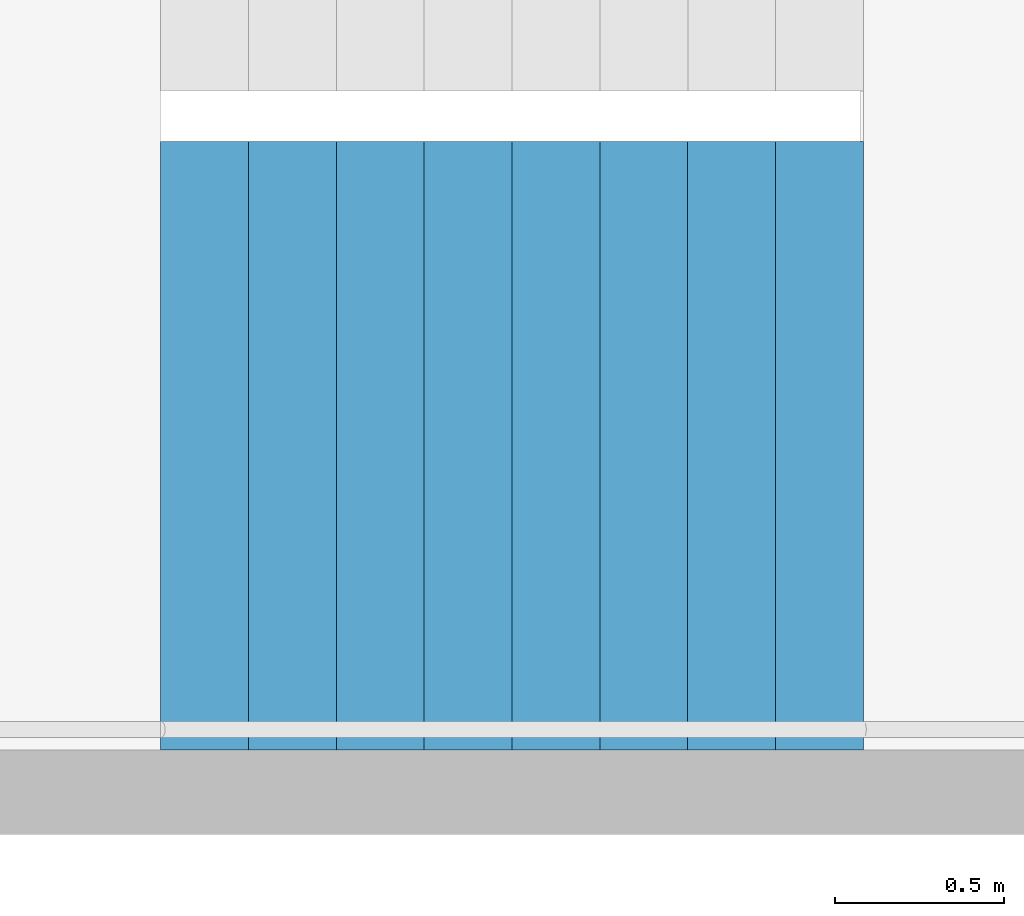
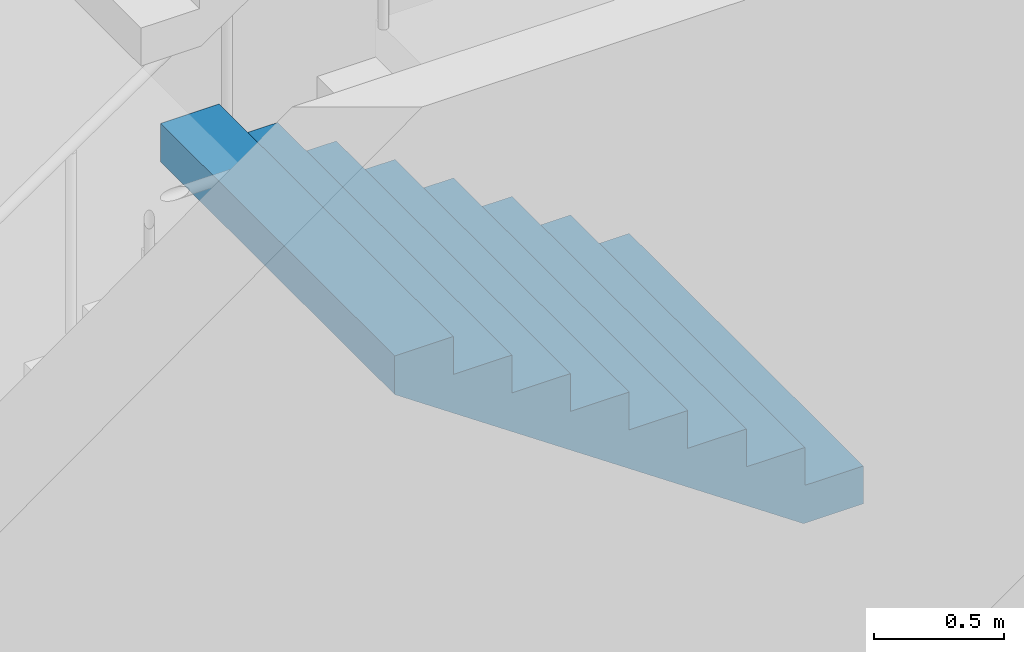
# One storey, part 30 of 43: 1 stair flight, 1 element without a shape of its own.
"""IFC4 building model written with IfcOpenShell, lengths in metres."""

from ifc_helpers import new_model, si_unit, direction, frame, origin, place, context, subcontext, project, spatial, triangles, material, type_object, element, aggregate, save


model = new_model("IFC4")

# Units and contexts
model_context = context("Model", 3, precision=1e-05, world=origin(), true_north=direction((0.0, 1.0)))
body_context = subcontext(model_context, "Body", "Model", "MODEL_VIEW")
ifc_project = project(units=[si_unit("LENGTHUNIT", "METRE"), si_unit("AREAUNIT", "SQUARE_METRE"), si_unit("VOLUMEUNIT", "CUBIC_METRE"), si_unit("PLANEANGLEUNIT", "RADIAN"), si_unit("MASSUNIT", "GRAM", prefix="KILO")], contexts=[model_context])

# Site, building, storey
site_placement = place(None, origin())
site = spatial("IfcSite", under=ifc_project, at=site_placement, CompositionType="ELEMENT")
building_placement = place(site_placement, origin())
building = spatial("IfcBuilding", under=site, at=building_placement, Name="Hakoniwa Tower and Hamabe Station Hall", CompositionType="ELEMENT")
storey_placement = place(building_placement, frame((0.0, 0.0, 124.60009765625)))
storey = spatial("IfcBuildingStorey", under=building, at=storey_placement, Name="L35", CompositionType="ELEMENT", Elevation=124.60009765625)

# Stair, stair flight
ifc_material_1 = material(Name="Concrete C40", Category="concrete")
stair_type = type_object("IfcStairType", Name="ESCAPE STAIR 1800", PredefinedType="HALF_TURN_STAIR", material=ifc_material_1)
stair_placement = place(storey_placement, origin())
stair = element("IfcStair", 1, at=stair_placement, inside=storey, type_object=stair_type, Name="Escape stair ST-3 L35", PredefinedType="HALF_TURN_STAIR")
ifc_material_2 = material(Name="Concrete C40", Category="concrete")
stair_flight_type = type_object("IfcStairFlightType", Name="STAIR FLIGHT 1800", PredefinedType="STRAIGHT", material=ifc_material_2)
stair_flight_placement = place(storey_placement, frame((24.39990234375, 4.64990234375, 3.199951171875), z_axis=(0.0, 0.0, 1.0), x_axis=(-1.0, 0.0, 0.0)))
stair_flight = element("IfcStairFlight", 2, at=stair_flight_placement, type_object=stair_flight_type, Name="ST-3 flight 3", NumberOfRisers=9, NumberOfTreads=8, PredefinedType="STRAIGHT", RiserHeight=0.177777778, TreadLength=0.26, context=body_context, shape_type="Tessellation", body=[
    triangles([(0.0, 0.89990234375, 0.0), (0.260009765625, 0.89990234375, 0.0), (0.265625, 0.89990234375, 0.0), (0.52001953125, 0.89990234375, 0.174072265625), (0.780029296875, 0.89990234375, 0.351806640625), (1.0400390625, 0.89990234375, 0.529541015625), (1.300048828125, 0.89990234375, 0.707275390625), (1.56005859375, 0.89990234375, 0.885009765625), (1.820068359375, 0.89990234375, 1.062744140625), (2.080078125, 0.89990234375, 1.24072265625), (2.080078125, 0.89990234375, 1.422119140625), (1.820068359375, 0.89990234375, 1.422119140625), (1.820068359375, 0.89990234375, 1.244384765625), (1.56005859375, 0.89990234375, 1.244384765625), (1.56005859375, 0.89990234375, 1.066650390625), (1.300048828125, 0.89990234375, 1.066650390625), (1.300048828125, 0.89990234375, 0.888916015625), (1.0400390625, 0.89990234375, 0.888916015625), (1.0400390625, 0.89990234375, 0.711181640625), (0.780029296875, 0.89990234375, 0.711181640625), (0.780029296875, 0.89990234375, 0.533447265625), (0.52001953125, 0.89990234375, 0.533447265625), (0.52001953125, 0.89990234375, 0.35546875), (0.265625, 0.89990234375, 0.35546875), (0.260009765625, 0.89990234375, 0.35546875), (0.260009765625, 0.89990234375, 0.177734375), (0.0, 0.89990234375, 0.177734375), (0.0, 0.06005859375, 0.0), (0.260009765625, 0.06005859375, 0.0), (0.265625, 0.06005859375, 0.0), (0.52001953125, 0.06005859375, 0.174072265625), (0.780029296875, 0.06005859375, 0.351806640625), (1.0400390625, 0.06005859375, 0.529541015625), (1.300048828125, 0.06005859375, 0.707275390625), (1.56005859375, 0.06005859375, 0.885009765625), (1.820068359375, 0.06005859375, 1.062744140625), (2.080078125, 0.06005859375, 1.24072265625), (2.080078125, 0.06005859375, 1.422119140625), (1.820068359375, 0.06005859375, 1.422119140625), (1.820068359375, 0.06005859375, 1.244384765625), (1.56005859375, 0.06005859375, 1.244384765625), (1.56005859375, 0.06005859375, 1.066650390625), (1.300048828125, 0.06005859375, 1.066650390625), (1.300048828125, 0.06005859375, 0.888916015625), (1.0400390625, 0.06005859375, 0.888916015625), (1.0400390625, 0.06005859375, 0.711181640625), (0.780029296875, 0.06005859375, 0.711181640625), (0.780029296875, 0.06005859375, 0.533447265625), (0.52001953125, 0.06005859375, 0.533447265625), (0.52001953125, 0.06005859375, 0.35546875), (0.265625, 0.06005859375, 0.35546875), (0.260009765625, 0.06005859375, 0.35546875), (0.260009765625, 0.06005859375, 0.177734375), (0.0, 0.06005859375, 0.177734375), (0.0, 0.04296875, 0.0), (0.260009765625, 0.04296875, 0.0), (0.265625, 0.04296875, 0.0), (0.52001953125, 0.04296875, 0.174072265625), (0.780029296875, 0.04296875, 0.351806640625), (1.0400390625, 0.04296875, 0.529541015625), (1.300048828125, 0.04296875, 0.707275390625), (1.56005859375, 0.04296875, 0.885009765625), (1.820068359375, 0.04296875, 1.062744140625), (2.080078125, 0.04296875, 1.24072265625), (2.080078125, 0.04296875, 1.422119140625), (1.820068359375, 0.04296875, 1.422119140625), (1.820068359375, 0.04296875, 1.244384765625), (1.56005859375, 0.04296875, 1.244384765625), (1.56005859375, 0.04296875, 1.066650390625), (1.300048828125, 0.04296875, 1.066650390625), (1.300048828125, 0.04296875, 0.888916015625), (1.0400390625, 0.04296875, 0.888916015625), (1.0400390625, 0.04296875, 0.711181640625), (0.780029296875, 0.04296875, 0.711181640625), (0.780029296875, 0.04296875, 0.533447265625), (0.52001953125, 0.04296875, 0.533447265625), (0.52001953125, 0.04296875, 0.35546875), (0.265625, 0.04296875, 0.35546875), (0.260009765625, 0.04296875, 0.35546875), (0.260009765625, 0.04296875, 0.177734375), (0.0, 0.04296875, 0.177734375), (0.0, 0.025634765625, 0.0), (0.260009765625, 0.025634765625, 0.0), (0.265625, 0.025634765625, 0.0), (0.52001953125, 0.025634765625, 0.174072265625), (0.780029296875, 0.025634765625, 0.351806640625), (1.0400390625, 0.025634765625, 0.529541015625), (1.300048828125, 0.025634765625, 0.707275390625), (1.56005859375, 0.025634765625, 0.885009765625), (1.820068359375, 0.025634765625, 1.062744140625), (2.080078125, 0.025634765625, 1.24072265625), (2.080078125, 0.025634765625, 1.422119140625), (1.820068359375, 0.025634765625, 1.422119140625), (1.820068359375, 0.025634765625, 1.244384765625), (1.56005859375, 0.025634765625, 1.244384765625), (1.56005859375, 0.025634765625, 1.066650390625), (1.300048828125, 0.025634765625, 1.066650390625), (1.300048828125, 0.025634765625, 0.888916015625), (1.0400390625, 0.025634765625, 0.888916015625), (1.0400390625, 0.025634765625, 0.711181640625), (0.780029296875, 0.025634765625, 0.711181640625), (0.780029296875, 0.025634765625, 0.533447265625), (0.52001953125, 0.025634765625, 0.533447265625), (0.52001953125, 0.025634765625, 0.35546875), (0.265625, 0.025634765625, 0.35546875), (0.260009765625, 0.025634765625, 0.35546875), (0.260009765625, 0.025634765625, 0.177734375), (0.0, 0.025634765625, 0.177734375), (0.0, 0.008544921875, 0.0), (0.260009765625, 0.008544921875, 0.0), (0.265625, 0.008544921875, 0.0), (0.52001953125, 0.008544921875, 0.174072265625), (0.780029296875, 0.008544921875, 0.351806640625), (1.0400390625, 0.008544921875, 0.529541015625), (1.300048828125, 0.008544921875, 0.707275390625), (1.56005859375, 0.008544921875, 0.885009765625), (1.820068359375, 0.008544921875, 1.062744140625), (2.080078125, 0.008544921875, 1.24072265625), (2.080078125, 0.008544921875, 1.422119140625), (1.820068359375, 0.008544921875, 1.422119140625), (1.820068359375, 0.008544921875, 1.244384765625), (1.56005859375, 0.008544921875, 1.244384765625), (1.56005859375, 0.008544921875, 1.066650390625), (1.300048828125, 0.008544921875, 1.066650390625), (1.300048828125, 0.008544921875, 0.888916015625), (1.0400390625, 0.008544921875, 0.888916015625), (1.0400390625, 0.008544921875, 0.711181640625), (0.780029296875, 0.008544921875, 0.711181640625), (0.780029296875, 0.008544921875, 0.533447265625), (0.52001953125, 0.008544921875, 0.533447265625), (0.52001953125, 0.008544921875, 0.35546875), (0.265625, 0.008544921875, 0.35546875), (0.260009765625, 0.008544921875, 0.35546875), (0.260009765625, 0.008544921875, 0.177734375), (0.0, 0.008544921875, 0.177734375), (0.0, -0.008544921875, 0.0), (0.260009765625, -0.008544921875, 0.0), (0.265625, -0.008544921875, 0.0), (0.52001953125, -0.008544921875, 0.174072265625), (0.780029296875, -0.008544921875, 0.351806640625), (1.0400390625, -0.008544921875, 0.529541015625), (1.300048828125, -0.008544921875, 0.707275390625), (1.56005859375, -0.008544921875, 0.885009765625), (1.820068359375, -0.008544921875, 1.062744140625), (2.080078125, -0.008544921875, 1.24072265625), (2.080078125, -0.008544921875, 1.422119140625), (1.820068359375, -0.008544921875, 1.422119140625), (1.820068359375, -0.008544921875, 1.244384765625), (1.56005859375, -0.008544921875, 1.244384765625), (1.56005859375, -0.008544921875, 1.066650390625), (1.300048828125, -0.008544921875, 1.066650390625), (1.300048828125, -0.008544921875, 0.888916015625), (1.0400390625, -0.008544921875, 0.888916015625), (1.0400390625, -0.008544921875, 0.711181640625), (0.780029296875, -0.008544921875, 0.711181640625), (0.780029296875, -0.008544921875, 0.533447265625), (0.52001953125, -0.008544921875, 0.533447265625), (0.52001953125, -0.008544921875, 0.35546875), (0.265625, -0.008544921875, 0.35546875), (0.260009765625, -0.008544921875, 0.35546875), (0.260009765625, -0.008544921875, 0.177734375), (0.0, -0.008544921875, 0.177734375), (0.0, -0.025634765625, 0.0), (0.260009765625, -0.025634765625, 0.0), (0.265625, -0.025634765625, 0.0), (0.52001953125, -0.025634765625, 0.174072265625), (0.780029296875, -0.025634765625, 0.351806640625), (1.0400390625, -0.025634765625, 0.529541015625), (1.300048828125, -0.025634765625, 0.707275390625), (1.56005859375, -0.025634765625, 0.885009765625), (1.820068359375, -0.025634765625, 1.062744140625), (2.080078125, -0.025634765625, 1.24072265625), (2.080078125, -0.025634765625, 1.422119140625), (1.820068359375, -0.025634765625, 1.422119140625), (1.820068359375, -0.025634765625, 1.244384765625), (1.56005859375, -0.025634765625, 1.244384765625), (1.56005859375, -0.025634765625, 1.066650390625), (1.300048828125, -0.025634765625, 1.066650390625), (1.300048828125, -0.025634765625, 0.888916015625), (1.0400390625, -0.025634765625, 0.888916015625), (1.0400390625, -0.025634765625, 0.711181640625), (0.780029296875, -0.025634765625, 0.711181640625), (0.780029296875, -0.025634765625, 0.533447265625), (0.52001953125, -0.025634765625, 0.533447265625), (0.52001953125, -0.025634765625, 0.35546875), (0.265625, -0.025634765625, 0.35546875), (0.260009765625, -0.025634765625, 0.35546875), (0.260009765625, -0.025634765625, 0.177734375), (0.0, -0.025634765625, 0.177734375), (0.0, -0.04296875, 0.0), (0.260009765625, -0.04296875, 0.0), (0.265625, -0.04296875, 0.0), (0.52001953125, -0.04296875, 0.174072265625), (0.780029296875, -0.04296875, 0.351806640625), (1.0400390625, -0.04296875, 0.529541015625), (1.300048828125, -0.04296875, 0.707275390625), (1.56005859375, -0.04296875, 0.885009765625), (1.820068359375, -0.04296875, 1.062744140625), (2.080078125, -0.04296875, 1.24072265625), (2.080078125, -0.04296875, 1.422119140625), (1.820068359375, -0.04296875, 1.422119140625), (1.820068359375, -0.04296875, 1.244384765625), (1.56005859375, -0.04296875, 1.244384765625), (1.56005859375, -0.04296875, 1.066650390625), (1.300048828125, -0.04296875, 1.066650390625), (1.300048828125, -0.04296875, 0.888916015625), (1.0400390625, -0.04296875, 0.888916015625), (1.0400390625, -0.04296875, 0.711181640625), (0.780029296875, -0.04296875, 0.711181640625), (0.780029296875, -0.04296875, 0.533447265625), (0.52001953125, -0.04296875, 0.533447265625), (0.52001953125, -0.04296875, 0.35546875), (0.265625, -0.04296875, 0.35546875), (0.260009765625, -0.04296875, 0.35546875), (0.260009765625, -0.04296875, 0.177734375), (0.0, -0.04296875, 0.177734375), (0.0, -0.06005859375, 0.0), (0.260009765625, -0.06005859375, 0.0), (0.265625, -0.06005859375, 0.0), (0.52001953125, -0.06005859375, 0.174072265625), (0.780029296875, -0.06005859375, 0.351806640625), (1.0400390625, -0.06005859375, 0.529541015625), (1.300048828125, -0.06005859375, 0.707275390625), (1.56005859375, -0.06005859375, 0.885009765625), (1.820068359375, -0.06005859375, 1.062744140625), (2.080078125, -0.06005859375, 1.24072265625), (2.080078125, -0.06005859375, 1.422119140625), (1.820068359375, -0.06005859375, 1.422119140625), (1.820068359375, -0.06005859375, 1.244384765625), (1.56005859375, -0.06005859375, 1.244384765625), (1.56005859375, -0.06005859375, 1.066650390625), (1.300048828125, -0.06005859375, 1.066650390625), (1.300048828125, -0.06005859375, 0.888916015625), (1.0400390625, -0.06005859375, 0.888916015625), (1.0400390625, -0.06005859375, 0.711181640625), (0.780029296875, -0.06005859375, 0.711181640625), (0.780029296875, -0.06005859375, 0.533447265625), (0.52001953125, -0.06005859375, 0.533447265625), (0.52001953125, -0.06005859375, 0.35546875), (0.265625, -0.06005859375, 0.35546875), (0.260009765625, -0.06005859375, 0.35546875), (0.260009765625, -0.06005859375, 0.177734375), (0.0, -0.06005859375, 0.177734375), (0.0, -0.89990234375, 0.0), (0.260009765625, -0.89990234375, 0.0), (0.265625, -0.89990234375, 0.0), (0.52001953125, -0.89990234375, 0.174072265625), (0.780029296875, -0.89990234375, 0.351806640625), (1.0400390625, -0.89990234375, 0.529541015625), (1.300048828125, -0.89990234375, 0.707275390625), (1.56005859375, -0.89990234375, 0.885009765625), (1.820068359375, -0.89990234375, 1.062744140625), (2.080078125, -0.89990234375, 1.24072265625), (2.080078125, -0.89990234375, 1.422119140625), (1.820068359375, -0.89990234375, 1.422119140625), (1.820068359375, -0.89990234375, 1.244384765625), (1.56005859375, -0.89990234375, 1.244384765625), (1.56005859375, -0.89990234375, 1.066650390625), (1.300048828125, -0.89990234375, 1.066650390625), (1.300048828125, -0.89990234375, 0.888916015625), (1.0400390625, -0.89990234375, 0.888916015625), (1.0400390625, -0.89990234375, 0.711181640625), (0.780029296875, -0.89990234375, 0.711181640625), (0.780029296875, -0.89990234375, 0.533447265625), (0.52001953125, -0.89990234375, 0.533447265625), (0.52001953125, -0.89990234375, 0.35546875), (0.265625, -0.89990234375, 0.35546875), (0.260009765625, -0.89990234375, 0.35546875), (0.260009765625, -0.89990234375, 0.177734375), (0.0, -0.89990234375, 0.177734375)], [[2, 27, 26], [245, 269, 270], [2, 1, 27], [245, 270, 244], [3, 25, 24], [246, 267, 268], [3, 26, 25], [246, 268, 269], [3, 2, 26], [246, 269, 245], [4, 24, 23], [247, 266, 267], [4, 3, 24], [247, 267, 246], [5, 22, 21], [248, 264, 265], [5, 23, 22], [248, 265, 266], [5, 4, 23], [248, 266, 247], [6, 20, 19], [249, 262, 263], [6, 21, 20], [249, 263, 264], [6, 5, 21], [249, 264, 248], [7, 18, 17], [250, 260, 261], [7, 19, 18], [250, 261, 262], [7, 6, 19], [250, 262, 249], [8, 16, 15], [251, 258, 259], [8, 17, 16], [251, 259, 260], [8, 7, 17], [251, 260, 250], [9, 14, 13], [252, 256, 257], [9, 15, 14], [252, 257, 258], [9, 8, 15], [252, 258, 251], [10, 12, 11], [253, 254, 255], [10, 13, 12], [253, 255, 256], [10, 9, 13], [253, 256, 252], [1, 2, 29], [1, 29, 28], [28, 29, 56], [28, 56, 55], [55, 56, 83], [55, 83, 82], [82, 83, 110], [82, 110, 109], [109, 110, 137], [109, 137, 136], [136, 137, 164], [136, 164, 163], [163, 164, 191], [163, 191, 190], [190, 191, 218], [190, 218, 217], [217, 218, 245], [217, 245, 244], [2, 3, 30], [2, 30, 29], [29, 30, 57], [29, 57, 56], [56, 57, 84], [56, 84, 83], [83, 84, 111], [83, 111, 110], [110, 111, 138], [110, 138, 137], [137, 138, 165], [137, 165, 164], [164, 165, 192], [164, 192, 191], [191, 192, 219], [191, 219, 218], [218, 219, 246], [218, 246, 245], [3, 4, 31], [3, 31, 30], [30, 31, 58], [30, 58, 57], [57, 58, 85], [57, 85, 84], [84, 85, 112], [84, 112, 111], [111, 112, 139], [111, 139, 138], [138, 139, 166], [138, 166, 165], [165, 166, 193], [165, 193, 192], [192, 193, 220], [192, 220, 219], [219, 220, 247], [219, 247, 246], [4, 5, 32], [4, 32, 31], [31, 32, 59], [31, 59, 58], [58, 59, 86], [58, 86, 85], [85, 86, 113], [85, 113, 112], [112, 113, 140], [112, 140, 139], [139, 140, 167], [139, 167, 166], [166, 167, 194], [166, 194, 193], [193, 194, 221], [193, 221, 220], [220, 221, 248], [220, 248, 247], [5, 6, 33], [5, 33, 32], [32, 33, 60], [32, 60, 59], [59, 60, 87], [59, 87, 86], [86, 87, 114], [86, 114, 113], [113, 114, 141], [113, 141, 140], [140, 141, 168], [140, 168, 167], [167, 168, 195], [167, 195, 194], [194, 195, 222], [194, 222, 221], [221, 222, 249], [221, 249, 248], [6, 7, 34], [6, 34, 33], [33, 34, 61], [33, 61, 60], [60, 61, 88], [60, 88, 87], [87, 88, 115], [87, 115, 114], [114, 115, 142], [114, 142, 141], [141, 142, 169], [141, 169, 168], [168, 169, 196], [168, 196, 195], [195, 196, 223], [195, 223, 222], [222, 223, 250], [222, 250, 249], [7, 8, 35], [7, 35, 34], [34, 35, 62], [34, 62, 61], [61, 62, 89], [61, 89, 88], [88, 89, 116], [88, 116, 115], [115, 116, 143], [115, 143, 142], [142, 143, 170], [142, 170, 169], [169, 170, 197], [169, 197, 196], [196, 197, 224], [196, 224, 223], [223, 224, 251], [223, 251, 250], [8, 9, 36], [8, 36, 35], [35, 36, 63], [35, 63, 62], [62, 63, 90], [62, 90, 89], [89, 90, 117], [89, 117, 116], [116, 117, 144], [116, 144, 143], [143, 144, 171], [143, 171, 170], [170, 171, 198], [170, 198, 197], [197, 198, 225], [197, 225, 224], [224, 225, 252], [224, 252, 251], [9, 10, 37], [9, 37, 36], [36, 37, 64], [36, 64, 63], [63, 64, 91], [63, 91, 90], [90, 91, 118], [90, 118, 117], [117, 118, 145], [117, 145, 144], [144, 145, 172], [144, 172, 171], [171, 172, 199], [171, 199, 198], [198, 199, 226], [198, 226, 225], [225, 226, 253], [225, 253, 252], [10, 11, 38], [10, 38, 37], [37, 38, 65], [37, 65, 64], [64, 65, 92], [64, 92, 91], [91, 92, 119], [91, 119, 118], [118, 119, 146], [118, 146, 145], [145, 146, 173], [145, 173, 172], [172, 173, 200], [172, 200, 199], [199, 200, 227], [199, 227, 226], [226, 227, 254], [226, 254, 253], [11, 12, 39], [11, 39, 38], [38, 39, 66], [38, 66, 65], [65, 66, 93], [65, 93, 92], [92, 93, 120], [92, 120, 119], [119, 120, 147], [119, 147, 146], [146, 147, 174], [146, 174, 173], [173, 174, 201], [173, 201, 200], [200, 201, 228], [200, 228, 227], [227, 228, 255], [227, 255, 254], [12, 13, 40], [12, 40, 39], [39, 40, 67], [39, 67, 66], [66, 67, 94], [66, 94, 93], [93, 94, 121], [93, 121, 120], [120, 121, 148], [120, 148, 147], [147, 148, 175], [147, 175, 174], [174, 175, 202], [174, 202, 201], [201, 202, 229], [201, 229, 228], [228, 229, 256], [228, 256, 255], [13, 14, 41], [13, 41, 40], [40, 41, 68], [40, 68, 67], [67, 68, 95], [67, 95, 94], [94, 95, 122], [94, 122, 121], [121, 122, 149], [121, 149, 148], [148, 149, 176], [148, 176, 175], [175, 176, 203], [175, 203, 202], [202, 203, 230], [202, 230, 229], [229, 230, 257], [229, 257, 256], [14, 15, 42], [14, 42, 41], [41, 42, 69], [41, 69, 68], [68, 69, 96], [68, 96, 95], [95, 96, 123], [95, 123, 122], [122, 123, 150], [122, 150, 149], [149, 150, 177], [149, 177, 176], [176, 177, 204], [176, 204, 203], [203, 204, 231], [203, 231, 230], [230, 231, 258], [230, 258, 257], [15, 16, 43], [15, 43, 42], [42, 43, 70], [42, 70, 69], [69, 70, 97], [69, 97, 96], [96, 97, 124], [96, 124, 123], [123, 124, 151], [123, 151, 150], [150, 151, 178], [150, 178, 177], [177, 178, 205], [177, 205, 204], [204, 205, 232], [204, 232, 231], [231, 232, 259], [231, 259, 258], [16, 17, 44], [16, 44, 43], [43, 44, 71], [43, 71, 70], [70, 71, 98], [70, 98, 97], [97, 98, 125], [97, 125, 124], [124, 125, 152], [124, 152, 151], [151, 152, 179], [151, 179, 178], [178, 179, 206], [178, 206, 205], [205, 206, 233], [205, 233, 232], [232, 233, 260], [232, 260, 259], [17, 18, 45], [17, 45, 44], [44, 45, 72], [44, 72, 71], [71, 72, 99], [71, 99, 98], [98, 99, 126], [98, 126, 125], [125, 126, 153], [125, 153, 152], [152, 153, 180], [152, 180, 179], [179, 180, 207], [179, 207, 206], [206, 207, 234], [206, 234, 233], [233, 234, 261], [233, 261, 260], [18, 19, 46], [18, 46, 45], [45, 46, 73], [45, 73, 72], [72, 73, 100], [72, 100, 99], [99, 100, 127], [99, 127, 126], [126, 127, 154], [126, 154, 153], [153, 154, 181], [153, 181, 180], [180, 181, 208], [180, 208, 207], [207, 208, 235], [207, 235, 234], [234, 235, 262], [234, 262, 261], [19, 20, 47], [19, 47, 46], [46, 47, 74], [46, 74, 73], [73, 74, 101], [73, 101, 100], [100, 101, 128], [100, 128, 127], [127, 128, 155], [127, 155, 154], [154, 155, 182], [154, 182, 181], [181, 182, 209], [181, 209, 208], [208, 209, 236], [208, 236, 235], [235, 236, 263], [235, 263, 262], [20, 21, 48], [20, 48, 47], [47, 48, 75], [47, 75, 74], [74, 75, 102], [74, 102, 101], [101, 102, 129], [101, 129, 128], [128, 129, 156], [128, 156, 155], [155, 156, 183], [155, 183, 182], [182, 183, 210], [182, 210, 209], [209, 210, 237], [209, 237, 236], [236, 237, 264], [236, 264, 263], [21, 22, 49], [21, 49, 48], [48, 49, 76], [48, 76, 75], [75, 76, 103], [75, 103, 102], [102, 103, 130], [102, 130, 129], [129, 130, 157], [129, 157, 156], [156, 157, 184], [156, 184, 183], [183, 184, 211], [183, 211, 210], [210, 211, 238], [210, 238, 237], [237, 238, 265], [237, 265, 264], [22, 23, 50], [22, 50, 49], [49, 50, 77], [49, 77, 76], [76, 77, 104], [76, 104, 103], [103, 104, 131], [103, 131, 130], [130, 131, 158], [130, 158, 157], [157, 158, 185], [157, 185, 184], [184, 185, 212], [184, 212, 211], [211, 212, 239], [211, 239, 238], [238, 239, 266], [238, 266, 265], [23, 24, 51], [23, 51, 50], [50, 51, 78], [50, 78, 77], [77, 78, 105], [77, 105, 104], [104, 105, 132], [104, 132, 131], [131, 132, 159], [131, 159, 158], [158, 159, 186], [158, 186, 185], [185, 186, 213], [185, 213, 212], [212, 213, 240], [212, 240, 239], [239, 240, 267], [239, 267, 266], [24, 25, 52], [24, 52, 51], [51, 52, 79], [51, 79, 78], [78, 79, 106], [78, 106, 105], [105, 106, 133], [105, 133, 132], [132, 133, 160], [132, 160, 159], [159, 160, 187], [159, 187, 186], [186, 187, 214], [186, 214, 213], [213, 214, 241], [213, 241, 240], [240, 241, 268], [240, 268, 267], [25, 26, 53], [25, 53, 52], [52, 53, 80], [52, 80, 79], [79, 80, 107], [79, 107, 106], [106, 107, 134], [106, 134, 133], [133, 134, 161], [133, 161, 160], [160, 161, 188], [160, 188, 187], [187, 188, 215], [187, 215, 214], [214, 215, 242], [214, 242, 241], [241, 242, 269], [241, 269, 268], [26, 27, 54], [26, 54, 53], [53, 54, 81], [53, 81, 80], [80, 81, 108], [80, 108, 107], [107, 108, 135], [107, 135, 134], [134, 135, 162], [134, 162, 161], [161, 162, 189], [161, 189, 188], [188, 189, 216], [188, 216, 215], [215, 216, 243], [215, 243, 242], [242, 243, 270], [242, 270, 269], [27, 1, 28], [27, 28, 54], [54, 28, 55], [54, 55, 81], [81, 55, 82], [81, 82, 108], [108, 82, 109], [108, 109, 135], [135, 109, 136], [135, 136, 162], [162, 136, 163], [162, 163, 189], [189, 163, 190], [189, 190, 216], [216, 190, 217], [216, 217, 243], [243, 217, 244], [243, 244, 270]], closed=True),
])
aggregate(stair, [stair_flight])

save(model, "model.ifc")
